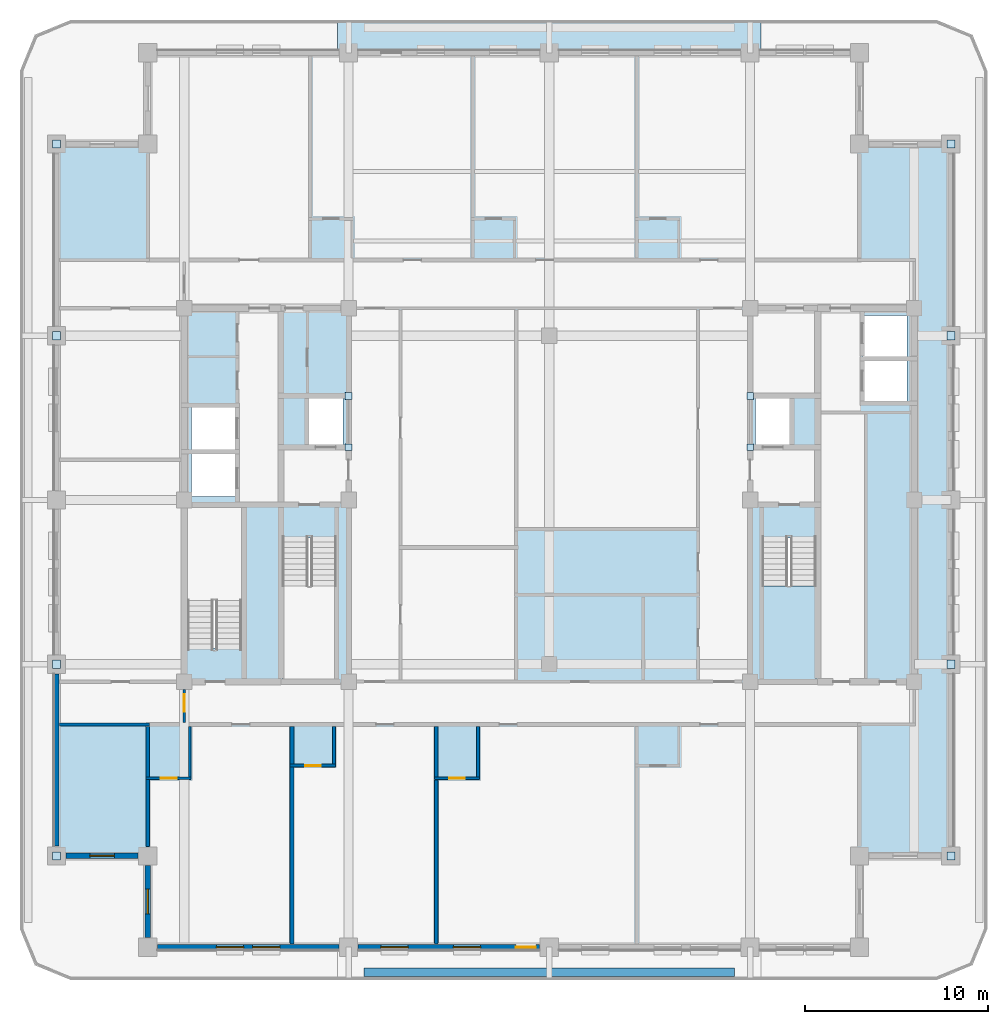
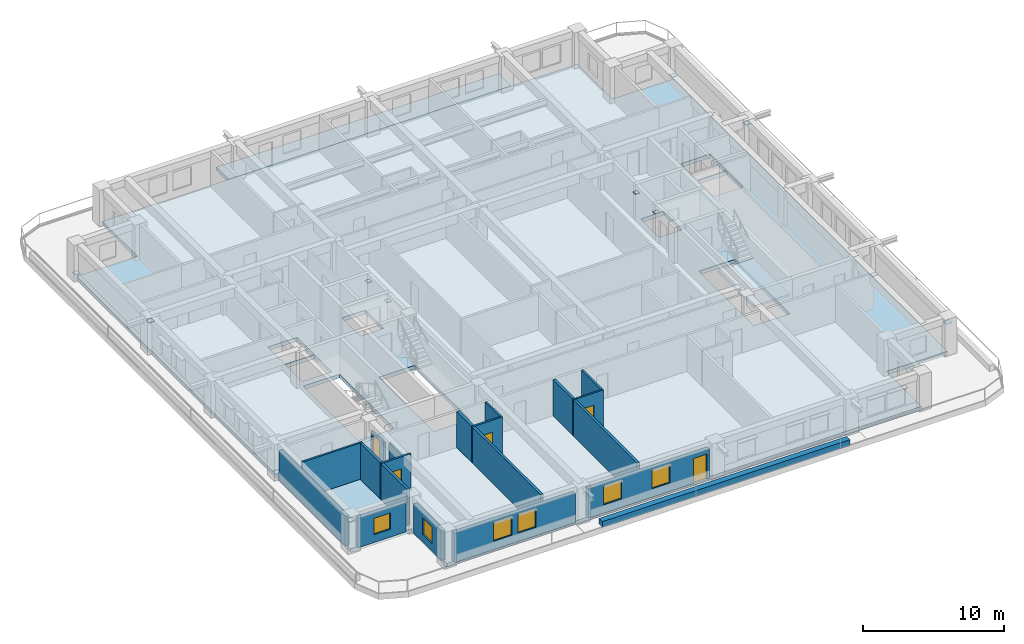
# One storey, part 2 of 14: 20 walls, 12 plates, 6 windows, 5 doors, 3 slabs, 11 openings, 1 element without a shape of its own.
"""IFC4 building model written with IfcOpenShell, lengths in metres."""

from ifc_helpers import new_model, si_unit, direction, frame, frame_2d, origin, origin_2d, place, context, subcontext, project, spatial, polyline, rectangle, outline, extrude, material, layer, layer_set, type_object, element, fill, aggregate, save


model = new_model("IFC4")

# Units and contexts
model_context = context("Model", 3, precision=1e-05, world=origin(), true_north=direction((0.0, 1.0)))
body_context = subcontext(model_context, "Body", "Model", "MODEL_VIEW")
ifc_project = project(units=[si_unit("LENGTHUNIT", "METRE"), si_unit("AREAUNIT", "SQUARE_METRE"), si_unit("VOLUMEUNIT", "CUBIC_METRE"), si_unit("PLANEANGLEUNIT", "RADIAN"), si_unit("MASSUNIT", "GRAM", prefix="KILO")], contexts=[model_context])

# Site, building, storey
site_placement = place(None, origin())
site = spatial("IfcSite", under=ifc_project, at=site_placement, CompositionType="ELEMENT")
building_placement = place(site_placement, origin())
building = spatial("IfcBuilding", under=site, at=building_placement, Name="Zulmaris Gate Convention Tower", CompositionType="ELEMENT")
storey_placement = place(building_placement, frame((0.0, 0.0, 211.85986328125)))
storey = spatial("IfcBuildingStorey", under=building, at=storey_placement, Name="L55", CompositionType="ELEMENT", Elevation=211.85986328125)

# Plates
ifc_material_1 = material(Name="Steel S460", Category="steel")
ifc_layer_1 = layer(ifc_material_1, 0.02197265625, Name="Steel S460")
ifc_layer_set_1 = layer_set([ifc_layer_1], Name="Steel S460")
plate_type_1 = type_object("IfcPlateType", Name="NP-CAP-360", PredefinedType="USERDEFINED", material=ifc_layer_set_1)
for number, where, z_axis, x_axis, name in (
    (1, (-11.0, 2.89990234375, 2.339111328125), (0.0, 0.0, 1.0), (1.0, 0.0, 0.0), "L55 Steel Node Plate LN-L55-1-CAP0"),
    (2, (-11.0, 5.699951171875, 2.339111328125), (0.0, 0.0, 1.0), (1.0, 0.0, 0.0), "L55 Steel Node Plate LN-L55-1-CAP1"),
    (3, (11.0, 2.89990234375, 2.339111328125), (0.0, 0.0, 1.0), (1.0, 0.0, 0.0), "L55 Steel Node Plate LN-L55-2-CAP0"),
    (4, (11.0, 5.699951171875, 2.339111328125), (0.0, 0.0, 1.0), (1.0, 0.0, 0.0), "L55 Steel Node Plate LN-L55-2-CAP1"),
):
    element("IfcPlate", number, at=place(storey_placement, frame(where, z_axis=z_axis, x_axis=x_axis)), inside=storey, type_object=plate_type_1, Name=name, ObjectType="FLANGE PLATE", PredefinedType="USERDEFINED", context=body_context, shape_type="SweptSolid", body=[
        extrude(rectangle(XDim=0.360107421875, YDim=0.360107421875, at=origin_2d()), origin(), (0.0, 0.0, 1.0), 0.02197265625),
    ])
ifc_layer_2 = layer(ifc_material_1, 0.02490234375, Name="Steel S460")
ifc_layer_set_2 = layer_set([ifc_layer_2], Name="Steel S460")
plate_type_2 = type_object("IfcPlateType", Name="NP-CAP-440", PredefinedType="USERDEFINED", material=ifc_layer_set_2)
for number, where, z_axis, x_axis, name in (
    (5, (-27.0, -9.0, 0.28759765625), (0.0, 0.0, 1.0), (1.0, 0.0, 0.0), "L55 Steel Node Plate PBR-L55-SW-W-CAP"),
    (6, (-27.0, -19.5, 2.517578125), (0.0, 0.0, 1.0), (1.0, 0.0, 0.0), "L55 Steel Node Plate PBR-L55-SW-W-CAPB"),
    (7, (-27.0, 19.5, 0.28759765625), (0.0, 0.0, 1.0), (1.0, 0.0, 0.0), "L55 Steel Node Plate PBR-L55-NW-W-CAP"),
    (8, (-27.0, 9.0, 2.517578125), (0.0, 0.0, 1.0), (1.0, 0.0, 0.0), "L55 Steel Node Plate PBR-L55-NW-W-CAPB"),
    (9, (22.0, -9.0, 0.28759765625), (0.0, 0.0, 1.0), (1.0, 0.0, 0.0), "L55 Steel Node Plate PBR-L55-SE-E-CAP"),
    (10, (22.0, -19.5, 2.517578125), (0.0, 0.0, 1.0), (1.0, 0.0, 0.0), "L55 Steel Node Plate PBR-L55-SE-E-CAPB"),
    (11, (22.0, 19.5, 0.28759765625), (0.0, 0.0, 1.0), (1.0, 0.0, 0.0), "L55 Steel Node Plate PBR-L55-NE-E-CAP"),
    (12, (22.0, 9.0, 2.517578125), (0.0, 0.0, 1.0), (1.0, 0.0, 0.0), "L55 Steel Node Plate PBR-L55-NE-E-CAPB"),
):
    element("IfcPlate", number, at=place(storey_placement, frame(where, z_axis=z_axis, x_axis=x_axis)), inside=storey, type_object=plate_type_2, Name=name, ObjectType="FLANGE PLATE", PredefinedType="USERDEFINED", context=body_context, shape_type="SweptSolid", body=[
        extrude(rectangle(XDim=0.43994140625, YDim=0.43994140625, at=origin_2d()), origin(), (0.0, 0.0, 1.0), 0.02490234375),
    ])

# Slab
ifc_material_2 = material(Name="Concrete C50/60", Category="concrete")
ifc_layer_3 = layer(ifc_material_2, 0.324951171875, Name="Concrete C50/60")
ifc_layer_set_3 = layer_set([ifc_layer_3], Name="Concrete C50/60")
slab_type_1 = type_object("IfcSlabType", Name="SL-FLR-325", PredefinedType="FLOOR", material=ifc_layer_set_3)
slab_1_placement = place(storey_placement, frame((0.0, 0.0, -0.324951171875)))
element("IfcSlab", 13, at=slab_1_placement, inside=storey, type_object=slab_type_1, Name="L55 Shifted Notched-Square Structural Floor Slab", PredefinedType="FLOOR", context=body_context, shape_type="SweptSolid", body=[
    extrude(outline(polyline([(-22.0, -24.5), (17.0, -24.5), (17.0, -19.5), (22.0, -19.5), (22.0, 19.5), (17.0, 19.5), (17.0, 24.5), (-22.0, 24.5), (-22.0, 19.5), (-27.0, 19.5), (-27.0, -19.5), (-22.0, -19.5), (-22.0, -24.5)]), holes=[polyline([(-14.6201171875, -2.080078125), (-14.6201171875, -9.85009765625), (-11.659912109375, -9.85009765625), (-11.659912109375, -2.080078125), (-14.6201171875, -2.080078125)]), polyline([(11.659912109375, -2.080078125), (11.659912109375, -9.85009765625), (14.6201171875, -9.85009765625), (14.6201171875, -2.080078125), (11.659912109375, -2.080078125)]), polyline([(-16.860107421875, -8.1201171875), (-16.860107421875, -0.35009765625), (-19.820068359375, -0.35009765625), (-19.820068359375, -8.1201171875), (-16.860107421875, -8.1201171875)]), polyline([(-13.199951171875, 3.0), (-11.300048828125, 3.0), (-11.300048828125, 5.60009765625), (-13.199951171875, 5.60009765625), (-13.199951171875, 3.0)]), polyline([(11.300048828125, 3.0), (13.199951171875, 3.0), (13.199951171875, 5.60009765625), (11.300048828125, 5.60009765625), (11.300048828125, 3.0)]), polyline([(17.199951171875, 5.39990234375), (19.60009765625, 5.39990234375), (19.60009765625, 7.699951171875), (17.199951171875, 7.699951171875), (17.199951171875, 5.39990234375)]), polyline([(17.199951171875, 7.800048828125), (19.60009765625, 7.800048828125), (19.60009765625, 10.10009765625), (17.199951171875, 10.10009765625), (17.199951171875, 7.800048828125)]), polyline([(-19.60009765625, 0.199951171875), (-17.199951171875, 0.199951171875), (-17.199951171875, 2.60009765625), (-19.60009765625, 2.60009765625), (-19.60009765625, 0.199951171875)]), polyline([(-19.60009765625, 2.699951171875), (-17.199951171875, 2.699951171875), (-17.199951171875, 5.10009765625), (-19.60009765625, 5.10009765625), (-19.60009765625, 2.699951171875)])]), origin(), (0.0, 0.0, 1.0), 0.324951171875),
])

# Stair, slab
ifc_material_3 = material(Name="Concrete C45/55", Category="concrete")
stair_type = type_object("IfcStairType", Name="ST-CORE-DOGLEG", PredefinedType="HALF_TURN_STAIR", material=ifc_material_3)
stair_placement = place(storey_placement, origin())
stair = element("IfcStair", 14, at=stair_placement, inside=storey, type_object=stair_type, Name="L55 Core Exit Stair ST-2", PredefinedType="HALF_TURN_STAIR")
ifc_layer_4 = layer(ifc_material_3, 0.199951171875, Name="Concrete C45/55")
ifc_layer_set_4 = layer_set([ifc_layer_4], Name="Concrete C45/55")
slab_type_2 = type_object("IfcSlabType", Name="SL-LND-200", PredefinedType="LANDING", material=ifc_layer_set_4)
slab_2_placement = place(storey_placement, frame((0.0, 0.0, 1.5)))
slab_2 = element("IfcSlab", 15, at=slab_2_placement, type_object=slab_type_2, Name="ST-2 landing 1", PredefinedType="LANDING", context=body_context, shape_type="SweptSolid", body=[
    extrude(outline(polyline([(11.659912109375, -4.699951171875), (11.659912109375, -9.85009765625), (14.6201171875, -9.85009765625), (14.6201171875, -4.699951171875), (11.659912109375, -4.699951171875)])), origin(), (0.0, 0.0, 1.0), 0.2001953125),
])
aggregate(stair, [slab_2])

# Slab
ifc_layer_5 = layer(ifc_material_2, 0.300048828125, Name="Concrete C50/60")
ifc_layer_set_5 = layer_set([ifc_layer_5], Name="Concrete C50/60")
slab_type_3 = type_object("IfcSlabType", Name="SL-SG-300", PredefinedType="FLOOR", material=ifc_layer_set_5)
slab_3_placement = place(storey_placement, frame((0.0, 0.0, -0.324951171875)))
element("IfcSlab", 16, at=slab_3_placement, inside=storey, type_object=slab_type_3, Name="L55 North Sky-Garden Planter Slab", PredefinedType="FLOOR", context=body_context, shape_type="SweptSolid", body=[
    extrude(outline(polyline([(11.597900390625, 26.300048828125), (11.597900390625, 24.5), (-11.597900390625, 24.5), (-11.597900390625, 26.300048828125), (11.597900390625, 26.300048828125)])), origin(), (0.0, 0.0, 1.0), 0.300048828125),
])

# Wall, opening, door
ifc_material_4 = material(Name="Gypsum Metal Stud Partition")
ifc_layer_6 = layer(ifc_material_4, 0.14990234375, Name="Gypsum Metal Stud Partition")
ifc_layer_set_6 = layer_set([ifc_layer_6], Name="Gypsum Metal Stud Partition")
wall_type_1 = type_object("IfcWallType", Name="PART-150", PredefinedType="PARTITIONING", material=ifc_layer_set_6)
wall_1_placement = place(storey_placement, frame((-22.10009765625, -15.25, 0.0), z_axis=(0.0, 0.0, 1.0), x_axis=(1.0, 0.0, 0.0)))
wall_1 = element("IfcWall", 17, at=wall_1_placement, inside=storey, type_object=wall_type_1, Name="WL-L55-019", PredefinedType="PARTITIONING", context=body_context, shape_type="SweptSolid", body=[
    extrude(rectangle(XDim=2.47509765625, YDim=0.14990234375, at=frame_2d((1.237548828125, 0.0))), origin(), (0.0, 0.0, 1.0), 3.150146484375),
])
opening_1_placement = place(wall_1_placement, frame((0.824951171875, 0.0, 0.0)))
opening_1 = element("IfcOpeningElement", 18, at=opening_1_placement, cuts=wall_1, Name="Opening D-17", PredefinedType="OPENING", context=body_context, shape_type="SweptSolid", body=[
    extrude(rectangle(XDim=0.85009765625, YDim=2.10009765625, at=frame_2d((0.425048828125, 1.050048828125))), frame((0.0, 0.0849609375, 0.0), z_axis=(0.0, -1.0, 0.0), x_axis=(1.0, 0.0, 0.0)), (0.0, 0.0, 1.0), 0.169921875),
])
ifc_material_5 = material(Name="Moisture-Resistant Hardwood Timber", Category="wood")
door_type_1 = type_object("IfcDoorType", Name="DR-850", OperationType="NOTDEFINED", PredefinedType="DOOR", material=ifc_material_5)
door_1_placement = place(opening_1_placement, origin())
door_1 = element("IfcDoor", 19, at=door_1_placement, inside=storey, type_object=door_type_1, Name="L55 En-Suite Door 33", OperationType="SINGLE_SWING_LEFT", OverallHeight=2.10009765625, OverallWidth=0.85009765625, PredefinedType="DOOR", context=body_context, shape_type="SweptSolid", body=[
    extrude(rectangle(XDim=0.85009765625, YDim=2.10009765625, at=frame_2d((0.425048828125, 1.050048828125))), frame((0.0, 0.02490234375, 0.0), z_axis=(0.0, -1.0, 0.0), x_axis=(1.0, 0.0, 0.0)), (0.0, 0.0, 1.0), 0.050048828125),
])
fill(opening_1, door_1)

wall_2_placement = place(storey_placement, frame((-6.300048828125, -15.25, 0.0), z_axis=(0.0, 0.0, 1.0), x_axis=(1.0, 0.0, 0.0)))
wall_2 = element("IfcWall", 20, at=wall_2_placement, inside=storey, type_object=wall_type_1, Name="WL-L55-020", PredefinedType="PARTITIONING", context=body_context, shape_type="SweptSolid", body=[
    extrude(rectangle(XDim=2.47509765625, YDim=0.14990234375, at=frame_2d((1.237548828125, 0.0))), origin(), (0.0, 0.0, 1.0), 3.150146484375),
])
opening_2_placement = place(wall_2_placement, frame((0.824951171875, 0.0, 0.0)))
opening_2 = element("IfcOpeningElement", 21, at=opening_2_placement, cuts=wall_2, Name="Opening D-17", PredefinedType="OPENING", context=body_context, shape_type="SweptSolid", body=[
    extrude(rectangle(XDim=0.85009765625, YDim=2.10009765625, at=frame_2d((0.425048828125, 1.050048828125))), frame((0.0, 0.0849609375, 0.0), z_axis=(0.0, -1.0, 0.0), x_axis=(1.0, 0.0, 0.0)), (0.0, 0.0, 1.0), 0.169921875),
])
door_2_placement = place(opening_2_placement, origin())
door_2 = element("IfcDoor", 22, at=door_2_placement, inside=storey, type_object=door_type_1, Name="L55 En-Suite Door 37", OperationType="SINGLE_SWING_LEFT", OverallHeight=2.10009765625, OverallWidth=0.85009765625, PredefinedType="DOOR", context=body_context, shape_type="SweptSolid", body=[
    extrude(rectangle(XDim=0.85009765625, YDim=2.10009765625, at=frame_2d((0.425048828125, 1.050048828125))), frame((0.0, 0.02490234375, 0.0), z_axis=(0.0, -1.0, 0.0), x_axis=(1.0, 0.0, 0.0)), (0.0, 0.0, 1.0), 0.050048828125),
])
fill(opening_2, door_2)

wall_3_placement = place(storey_placement, frame((-14.199951171875, -14.550048828125, 0.0), z_axis=(0.0, 0.0, 1.0), x_axis=(1.0, 0.0, 0.0)))
wall_3 = element("IfcWall", 23, at=wall_3_placement, inside=storey, type_object=wall_type_1, Name="WL-L55-021", PredefinedType="PARTITIONING", context=body_context, shape_type="SweptSolid", body=[
    extrude(rectangle(XDim=2.474853515625, YDim=0.14990234375, at=frame_2d((1.2373046875, 0.0))), origin(), (0.0, 0.0, 1.0), 3.150146484375),
])
opening_3_placement = place(wall_3_placement, frame((0.824951171875, 0.0, 0.0)))
opening_3 = element("IfcOpeningElement", 24, at=opening_3_placement, cuts=wall_3, Name="Opening D-17", PredefinedType="OPENING", context=body_context, shape_type="SweptSolid", body=[
    extrude(rectangle(XDim=0.85009765625, YDim=2.10009765625, at=frame_2d((0.425048828125, 1.050048828125))), frame((0.0, 0.0849609375, 0.0), z_axis=(0.0, -1.0, 0.0), x_axis=(1.0, 0.0, 0.0)), (0.0, 0.0, 1.0), 0.169921875),
])
door_3_placement = place(opening_3_placement, origin())
door_3 = element("IfcDoor", 25, at=door_3_placement, inside=storey, type_object=door_type_1, Name="L55 En-Suite Door 35", OperationType="SINGLE_SWING_LEFT", OverallHeight=2.10009765625, OverallWidth=0.85009765625, PredefinedType="DOOR", context=body_context, shape_type="SweptSolid", body=[
    extrude(rectangle(XDim=0.85009765625, YDim=2.10009765625, at=frame_2d((0.425048828125, 1.050048828125))), frame((0.0, 0.02490234375, 0.0), z_axis=(0.0, -1.0, 0.0), x_axis=(1.0, 0.0, 0.0)), (0.0, 0.0, 1.0), 0.050048828125),
])
fill(opening_3, door_3)

# Wall
wall_4_placement = place(storey_placement, frame((-26.8349609375, -12.300048828125, 0.0), z_axis=(0.0, 0.0, 1.0), x_axis=(1.0, 0.0, 0.0)))
element("IfcWall", 26, at=wall_4_placement, inside=storey, type_object=wall_type_1, Name="WL-L55-023", PredefinedType="PARTITIONING", context=body_context, shape_type="SweptSolid", body=[
    extrude(rectangle(XDim=4.93505859375, YDim=0.14990234375, at=frame_2d((2.467529296875, 0.0))), origin(), (0.0, 0.0, 1.0), 3.150146484375),
])

# Wall, opening, door
wall_5_placement = place(storey_placement, frame((-20.0, -12.197021484375, 0.0), z_axis=(0.0, 0.0, 1.0), x_axis=(0.0, 1.0, 0.0)))
wall_5 = element("IfcWall", 27, at=wall_5_placement, inside=storey, type_object=wall_type_1, Name="WL-L55-077", PredefinedType="PARTITIONING", context=body_context, shape_type="SweptSolid", body=[
    extrude(rectangle(XDim=1.81591796875, YDim=0.14990234375, at=frame_2d((0.907958984375, 0.0))), origin(), (0.0, 0.0, 1.0), 2.342041015625),
])
opening_4_placement = place(wall_5_placement, frame((0.60205078125, 0.0, 0.0)))
opening_4 = element("IfcOpeningElement", 28, at=opening_4_placement, cuts=wall_5, Name="Opening D-11", PredefinedType="OPENING", context=body_context, shape_type="SweptSolid", body=[
    extrude(rectangle(XDim=0.949951171875, YDim=2.14990234375, at=frame_2d((0.47509765625, 1.074951171875))), frame((0.0, 0.0849609375, 0.0), z_axis=(0.0, -1.0, 0.0), x_axis=(1.0, 0.0, 0.0)), (0.0, 0.0, 1.0), 0.169921875),
])
ifc_material_6 = material(Name="Fire-Rated Timber", Category="wood")
door_type_2 = type_object("IfcDoorType", Name="DR-950-FD", OperationType="NOTDEFINED", PredefinedType="DOOR", material=ifc_material_6)
door_4_placement = place(opening_4_placement, origin())
door_4 = element("IfcDoor", 29, at=door_4_placement, inside=storey, type_object=door_type_2, Name="L55 SW Hotel Spur Door 47", OperationType="SINGLE_SWING_LEFT", OverallHeight=2.14990234375, OverallWidth=0.949951171875, PredefinedType="DOOR", context=body_context, shape_type="SweptSolid", body=[
    extrude(rectangle(XDim=0.949951171875, YDim=2.14990234375, at=frame_2d((0.47509765625, 1.074951171875))), frame((0.0, 0.02490234375, 0.0), z_axis=(0.0, -1.0, 0.0), x_axis=(1.0, 0.0, 0.0)), (0.0, 0.0, 1.0), 0.050048828125),
])
fill(opening_4, door_4)

# Walls
wall_6_placement = place(storey_placement, frame((-19.699951171875, -15.172119140625, 0.0), z_axis=(0.0, 0.0, 1.0), x_axis=(0.0, 1.0, 0.0)))
element("IfcWall", 30, at=wall_6_placement, inside=storey, type_object=wall_type_1, Name="WL-L55-079", PredefinedType="PARTITIONING", context=body_context, shape_type="SweptSolid", body=[
    extrude(rectangle(XDim=2.76904296875, YDim=0.14990234375, at=frame_2d((1.384521484375, 0.0))), origin(), (0.0, 0.0, 1.0), 2.342041015625),
])
wall_7_placement = place(storey_placement, frame((-11.800048828125, -14.471923828125, 0.0), z_axis=(0.0, 0.0, 1.0), x_axis=(0.0, 1.0, 0.0)))
element("IfcWall", 31, at=wall_7_placement, inside=storey, type_object=wall_type_1, Name="WL-L55-087", PredefinedType="PARTITIONING", context=body_context, shape_type="SweptSolid", body=[
    extrude(rectangle(XDim=2.06884765625, YDim=0.14990234375, at=frame_2d((1.034423828125, 0.0))), origin(), (0.0, 0.0, 1.0), 3.150146484375),
])
wall_8_placement = place(storey_placement, frame((-3.89990234375, -15.172119140625, 0.0), z_axis=(0.0, 0.0, 1.0), x_axis=(0.0, 1.0, 0.0)))
element("IfcWall", 32, at=wall_8_placement, inside=storey, type_object=wall_type_1, Name="WL-L55-095", PredefinedType="PARTITIONING", context=body_context, shape_type="SweptSolid", body=[
    extrude(rectangle(XDim=2.76904296875, YDim=0.14990234375, at=frame_2d((1.384521484375, 0.0))), origin(), (0.0, 0.0, 1.0), 3.150146484375),
])
ifc_material_7 = material(Name="Autoclaved Aerated Concrete Block and Plasterboard", Category="concrete")
ifc_layer_7 = layer(ifc_material_7, 0.199951171875, Name="Autoclaved Aerated Concrete Block and Plasterboard")
ifc_layer_set_7 = layer_set([ifc_layer_7], Name="Autoclaved Aerated Concrete Block and Plasterboard")
wall_type_2 = type_object("IfcWallType", Name="PART-200", PredefinedType="PARTITIONING", material=ifc_layer_set_7)
wall_9_placement = place(storey_placement, frame((-22.0, -18.993896484375, 0.0), z_axis=(0.0, 0.0, 1.0), x_axis=(0.0, 1.0, 0.0)))
element("IfcWall", 33, at=wall_9_placement, inside=storey, type_object=wall_type_2, Name="WL-L55-074", PredefinedType="PARTITIONING", context=body_context, shape_type="SweptSolid", body=[
    extrude(rectangle(XDim=3.666015625, YDim=0.199951171875, at=frame_2d((1.8330078125, 0.0))), origin(), (0.0, 0.0, 1.0), 3.150146484375),
])
wall_10_placement = place(storey_placement, frame((-22.0, -15.172119140625, 0.0), z_axis=(0.0, 0.0, 1.0), x_axis=(0.0, 1.0, 0.0)))
element("IfcWall", 34, at=wall_10_placement, inside=storey, type_object=wall_type_2, Name="WL-L55-075", PredefinedType="PARTITIONING", context=body_context, shape_type="SweptSolid", body=[
    extrude(rectangle(XDim=2.76904296875, YDim=0.199951171875, at=frame_2d((1.384521484375, 0.0))), origin(), (0.0, 0.0, 1.0), 3.150146484375),
])
wall_11_placement = place(storey_placement, frame((-14.10009765625, -24.3349609375, 0.0), z_axis=(0.0, 0.0, 1.0), x_axis=(0.0, 1.0, 0.0)))
element("IfcWall", 35, at=wall_11_placement, inside=storey, type_object=wall_type_2, Name="WL-L55-082", PredefinedType="PARTITIONING", context=body_context, shape_type="SweptSolid", body=[
    extrude(rectangle(XDim=9.70703125, YDim=0.199951171875, at=frame_2d((4.853515625, 0.0))), origin(), (0.0, 0.0, 1.0), 3.150146484375),
])
wall_12_placement = place(storey_placement, frame((-14.10009765625, -14.471923828125, 0.0), z_axis=(0.0, 0.0, 1.0), x_axis=(0.0, 1.0, 0.0)))
element("IfcWall", 36, at=wall_12_placement, inside=storey, type_object=wall_type_2, Name="WL-L55-083", PredefinedType="PARTITIONING", context=body_context, shape_type="SweptSolid", body=[
    extrude(rectangle(XDim=2.06884765625, YDim=0.199951171875, at=frame_2d((1.034423828125, 0.0))), origin(), (0.0, 0.0, 1.0), 3.150146484375),
])
wall_13_placement = place(storey_placement, frame((-6.199951171875, -24.3349609375, 0.0), z_axis=(0.0, 0.0, 1.0), x_axis=(0.0, 1.0, 0.0)))
element("IfcWall", 37, at=wall_13_placement, inside=storey, type_object=wall_type_2, Name="WL-L55-091", PredefinedType="PARTITIONING", context=body_context, shape_type="SweptSolid", body=[
    extrude(rectangle(XDim=9.007080078125, YDim=0.199951171875, at=frame_2d((4.50341796875, 0.0))), origin(), (0.0, 0.0, 1.0), 3.150146484375),
])
wall_14_placement = place(storey_placement, frame((-6.199951171875, -15.172119140625, 0.0), z_axis=(0.0, 0.0, 1.0), x_axis=(0.0, 1.0, 0.0)))
element("IfcWall", 38, at=wall_14_placement, inside=storey, type_object=wall_type_2, Name="WL-L55-092", PredefinedType="PARTITIONING", context=body_context, shape_type="SweptSolid", body=[
    extrude(rectangle(XDim=2.76904296875, YDim=0.199951171875, at=frame_2d((1.384521484375, 0.0))), origin(), (0.0, 0.0, 1.0), 3.150146484375),
])
ifc_material_8 = material(Name="Botanical Green Glazed Precast Concrete C40/50", Category="concrete")
ifc_layer_8 = layer(ifc_material_8, 0.419921875, Name="Botanical Green Glazed Precast Concrete C40/50")
ifc_layer_set_8 = layer_set([ifc_layer_8], Name="Botanical Green Glazed Precast Concrete C40/50")
wall_type_3 = type_object("IfcWallType", Name="PLANTER-CURB-200", PredefinedType="PARAPET", material=ifc_layer_set_8)
wall_15_placement = place(storey_placement, frame((-10.14990234375, -25.8798828125, -0.0400390625), z_axis=(0.0, 0.0, 1.0), x_axis=(1.0, 0.0, 0.0)))
element("IfcWall", 39, at=wall_15_placement, inside=storey, type_object=wall_type_3, Name="L55 Full-Length Balcony Tree Planter Trough", PredefinedType="PARAPET", context=body_context, shape_type="SweptSolid", body=[
    extrude(rectangle(XDim=20.2998046875, YDim=0.47998046875, at=frame_2d((10.14990234375, 0.0))), origin(), (0.0, 0.0, 1.0), 0.52001953125),
])

# Wall, opening, window
ifc_material_9 = material(Name="Precast concrete C40/50", Category="concrete")
ifc_layer_9 = layer(ifc_material_9, 0.300048828125, Name="Precast concrete C40/50")
ifc_layer_set_9 = layer_set([ifc_layer_9], Name="Precast concrete C40/50")
wall_type_4 = type_object("IfcWallType", Name="PRECAST-PIER-300", PredefinedType="STANDARD", material=ifc_layer_set_9)
wall_16_placement = place(storey_placement, frame((-26.469970703125, -19.5, 0.0), z_axis=(0.0, 0.0, 1.0), x_axis=(1.0, 0.0, 0.0)))
wall_16 = element("IfcWall", 40, at=wall_16_placement, inside=storey, type_object=wall_type_4, Name="EW-L55-NOTCH-SW1_0", PredefinedType="STANDARD", context=body_context, shape_type="SweptSolid", body=[
    extrude(rectangle(XDim=3.93994140625, YDim=0.300048828125, at=frame_2d((1.969970703125, 0.0))), origin(), (0.0, 0.0, 1.0), 2.542236328125),
])
opening_5_placement = place(wall_16_placement, frame((1.294921875, 0.0, 0.679931640625)))
opening_5 = element("IfcOpeningElement", 41, at=opening_5_placement, cuts=wall_16, Name="Opening W-10", PredefinedType="OPENING", context=body_context, shape_type="SweptSolid", body=[
    extrude(rectangle(XDim=1.35009765625, YDim=1.419921875, at=frame_2d((0.675048828125, 0.7099609375))), frame((0.0, 0.16015625, 0.0), z_axis=(0.0, -1.0, 0.0), x_axis=(1.0, 0.0, 0.0)), (0.0, 0.0, 1.0), 0.320068359375),
])
ifc_material_10 = material(Name="Low-E Laminated Double Glazing in Aluminium Frame", Category="aluminium")
window_type_1 = type_object("IfcWindowType", Name="WIN-1350x2000", PartitioningType="SINGLE_PANEL", PredefinedType="WINDOW", material=ifc_material_10)
window_1_placement = place(opening_5_placement, origin())
window_1 = element("IfcWindow", 42, at=window_1_placement, inside=storey, type_object=window_type_1, Name="WN-EW-L55-NOTCH-SW1_0", OverallHeight=1.419921875, OverallWidth=1.35009765625, PartitioningType="SINGLE_PANEL", PredefinedType="WINDOW", context=body_context, shape_type="SweptSolid", body=[
    extrude(rectangle(XDim=1.35009765625, YDim=1.419921875, at=frame_2d((0.675048828125, 0.7099609375))), frame((0.0, 0.030029296875, 0.0), z_axis=(0.0, -1.0, 0.0), x_axis=(1.0, 0.0, 0.0)), (0.0, 0.0, 1.0), 0.06005859375),
])
fill(opening_5, window_1)

wall_17_placement = place(storey_placement, frame((-22.0, -20.030029296875, 0.0), z_axis=(0.0, 0.0, 1.0), x_axis=(0.0, -1.0, 0.0)))
wall_17 = element("IfcWall", 43, at=wall_17_placement, inside=storey, type_object=wall_type_4, Name="EW-L55-NOTCH-SW2_0", PredefinedType="STANDARD", context=body_context, shape_type="SweptSolid", body=[
    extrude(rectangle(XDim=3.93994140625, YDim=0.300048828125, at=frame_2d((1.969970703125, 0.0))), origin(), (0.0, 0.0, 1.0), 2.542236328125),
])
opening_6_placement = place(wall_17_placement, frame((1.294921875, 0.0, 0.679931640625)))
opening_6 = element("IfcOpeningElement", 44, at=opening_6_placement, cuts=wall_17, Name="Opening W-10", PredefinedType="OPENING", context=body_context, shape_type="SweptSolid", body=[
    extrude(rectangle(XDim=1.35009765625, YDim=1.419921875, at=frame_2d((0.675048828125, 0.7099609375))), frame((0.0, 0.16015625, 0.0), z_axis=(0.0, -1.0, 0.0), x_axis=(1.0, 0.0, 0.0)), (0.0, 0.0, 1.0), 0.320068359375),
])
window_2_placement = place(opening_6_placement, origin())
window_2 = element("IfcWindow", 45, at=window_2_placement, inside=storey, type_object=window_type_1, Name="WN-EW-L55-NOTCH-SW2_0", OverallHeight=1.419921875, OverallWidth=1.35009765625, PartitioningType="SINGLE_PANEL", PredefinedType="WINDOW", context=body_context, shape_type="SweptSolid", body=[
    extrude(rectangle(XDim=1.35009765625, YDim=1.419921875, at=frame_2d((0.675048828125, 0.7099609375))), frame((0.0, 0.030029296875, 0.0), z_axis=(0.0, -1.0, 0.0), x_axis=(1.0, 0.0, 0.0)), (0.0, 0.0, 1.0), 0.06005859375),
])
fill(opening_6, window_2)

# Wall, openings, windows
wall_18_placement = place(storey_placement, frame((-21.469970703125, -24.5, 0.0), z_axis=(0.0, 0.0, 1.0), x_axis=(1.0, 0.0, 0.0)))
wall_18 = element("IfcWall", 46, at=wall_18_placement, inside=storey, type_object=wall_type_4, Name="EW-L55-S-0_0", PredefinedType="STANDARD", context=body_context, shape_type="SweptSolid", body=[
    extrude(rectangle(XDim=9.93994140625, YDim=0.300048828125, at=frame_2d((4.969970703125, 0.0))), origin(), (0.0, 0.0, 1.0), 2.542236328125),
])
opening_7_placement = place(wall_18_placement, frame((3.22607421875, 0.0, 0.719970703125)))
opening_7 = element("IfcOpeningElement", 47, at=opening_7_placement, cuts=wall_18, Name="Opening W-03", PredefinedType="OPENING", context=body_context, shape_type="SweptSolid", body=[
    extrude(rectangle(XDim=1.5, YDim=1.60009765625, at=frame_2d((0.75, 0.800048828125))), frame((0.0, 0.16015625, 0.0), z_axis=(0.0, -1.0, 0.0), x_axis=(1.0, 0.0, 0.0)), (0.0, 0.0, 1.0), 0.320068359375),
])
opening_8_placement = place(wall_18_placement, frame((5.214111328125, 0.0, 0.719970703125)))
opening_8 = element("IfcOpeningElement", 48, at=opening_8_placement, cuts=wall_18, Name="Opening W-03", PredefinedType="OPENING", context=body_context, shape_type="SweptSolid", body=[
    extrude(rectangle(XDim=1.5, YDim=1.60009765625, at=frame_2d((0.75, 0.800048828125))), frame((0.0, 0.16015625, 0.0), z_axis=(0.0, -1.0, 0.0), x_axis=(1.0, 0.0, 0.0)), (0.0, 0.0, 1.0), 0.320068359375),
])
window_type_2 = type_object("IfcWindowType", Name="WIN-1500x2100", PartitioningType="SINGLE_PANEL", PredefinedType="WINDOW", material=ifc_material_10)
window_3_placement = place(opening_7_placement, origin())
window_3 = element("IfcWindow", 49, at=window_3_placement, inside=storey, type_object=window_type_2, Name="WN-EW-L55-S-0_0-2", OverallHeight=1.60009765625, OverallWidth=1.5, PartitioningType="SINGLE_PANEL", PredefinedType="WINDOW", context=body_context, shape_type="SweptSolid", body=[
    extrude(rectangle(XDim=1.5, YDim=1.60009765625, at=frame_2d((0.75, 0.800048828125))), frame((0.0, 0.030029296875, 0.0), z_axis=(0.0, -1.0, 0.0), x_axis=(1.0, 0.0, 0.0)), (0.0, 0.0, 1.0), 0.06005859375),
])
fill(opening_7, window_3)
window_4_placement = place(opening_8_placement, origin())
window_4 = element("IfcWindow", 50, at=window_4_placement, inside=storey, type_object=window_type_2, Name="WN-EW-L55-S-0_0-3", OverallHeight=1.60009765625, OverallWidth=1.5, PartitioningType="SINGLE_PANEL", PredefinedType="WINDOW", context=body_context, shape_type="SweptSolid", body=[
    extrude(rectangle(XDim=1.5, YDim=1.60009765625, at=frame_2d((0.75, 0.800048828125))), frame((0.0, 0.030029296875, 0.0), z_axis=(0.0, -1.0, 0.0), x_axis=(1.0, 0.0, 0.0)), (0.0, 0.0, 1.0), 0.06005859375),
])
fill(opening_8, window_4)

# Wall, openings, door, windows
wall_19_placement = place(storey_placement, frame((-10.469970703125, -24.5, 0.0), z_axis=(0.0, 0.0, 1.0), x_axis=(1.0, 0.0, 0.0)))
wall_19 = element("IfcWall", 51, at=wall_19_placement, inside=storey, type_object=wall_type_4, Name="EW-L55-S-1_0", PredefinedType="STANDARD", context=body_context, shape_type="SweptSolid", body=[
    extrude(rectangle(XDim=9.93994140625, YDim=0.300048828125, at=frame_2d((4.969970703125, 0.0))), origin(), (0.0, 0.0, 1.0), 2.542236328125),
])
opening_9_placement = place(wall_19_placement, frame((8.639892578125, 0.0, 0.0)))
opening_9 = element("IfcOpeningElement", 52, at=opening_9_placement, cuts=wall_19, Name="Opening D-04", PredefinedType="OPENING", context=body_context, shape_type="SweptSolid", body=[
    extrude(rectangle(XDim=1.10009765625, YDim=2.14990234375, at=frame_2d((0.550048828125, 1.074951171875))), frame((0.0, 0.16015625, 0.0), z_axis=(0.0, -1.0, 0.0), x_axis=(1.0, 0.0, 0.0)), (0.0, 0.0, 1.0), 0.320068359375),
])
opening_10_placement = place(wall_19_placement, frame((1.238037109375, 0.0, 0.719970703125)))
opening_10 = element("IfcOpeningElement", 53, at=opening_10_placement, cuts=wall_19, Name="Opening W-03", PredefinedType="OPENING", context=body_context, shape_type="SweptSolid", body=[
    extrude(rectangle(XDim=1.5, YDim=1.60009765625, at=frame_2d((0.75, 0.800048828125))), frame((0.0, 0.16015625, 0.0), z_axis=(0.0, -1.0, 0.0), x_axis=(1.0, 0.0, 0.0)), (0.0, 0.0, 1.0), 0.320068359375),
])
opening_11_placement = place(wall_19_placement, frame((5.214111328125, 0.0, 0.719970703125)))
opening_11 = element("IfcOpeningElement", 54, at=opening_11_placement, cuts=wall_19, Name="Opening W-03", PredefinedType="OPENING", context=body_context, shape_type="SweptSolid", body=[
    extrude(rectangle(XDim=1.5, YDim=1.60009765625, at=frame_2d((0.75, 0.800048828125))), frame((0.0, 0.16015625, 0.0), z_axis=(0.0, -1.0, 0.0), x_axis=(1.0, 0.0, 0.0)), (0.0, 0.0, 1.0), 0.320068359375),
])
ifc_material_11 = material(Name="Anodised Aluminium and Laminated Glass", Category="aluminium")
door_type_3 = type_object("IfcDoorType", Name="ED-1100", OperationType="SINGLE_SWING_RIGHT", PredefinedType="DOOR", material=ifc_material_11)
door_5_placement = place(opening_9_placement, origin())
door_5 = element("IfcDoor", 55, at=door_5_placement, inside=storey, type_object=door_type_3, Name="L55 S Planted Terrace Door", OperationType="SINGLE_SWING_RIGHT", OverallHeight=2.14990234375, OverallWidth=1.10009765625, PredefinedType="DOOR", context=body_context, shape_type="SweptSolid", body=[
    extrude(rectangle(XDim=1.10009765625, YDim=2.14990234375, at=frame_2d((0.550048828125, 1.074951171875))), frame((0.0, 0.02490234375, 0.0), z_axis=(0.0, -1.0, 0.0), x_axis=(1.0, 0.0, 0.0)), (0.0, 0.0, 1.0), 0.050048828125),
])
fill(opening_9, door_5)
window_5_placement = place(opening_10_placement, origin())
window_5 = element("IfcWindow", 56, at=window_5_placement, inside=storey, type_object=window_type_2, Name="WN-EW-L55-S-1_0-1", OverallHeight=1.60009765625, OverallWidth=1.5, PartitioningType="SINGLE_PANEL", PredefinedType="WINDOW", context=body_context, shape_type="SweptSolid", body=[
    extrude(rectangle(XDim=1.5, YDim=1.60009765625, at=frame_2d((0.75, 0.800048828125))), frame((0.0, 0.030029296875, 0.0), z_axis=(0.0, -1.0, 0.0), x_axis=(1.0, 0.0, 0.0)), (0.0, 0.0, 1.0), 0.06005859375),
])
fill(opening_10, window_5)
window_6_placement = place(opening_11_placement, origin())
window_6 = element("IfcWindow", 57, at=window_6_placement, inside=storey, type_object=window_type_2, Name="WN-EW-L55-S-1_0-3", OverallHeight=1.60009765625, OverallWidth=1.5, PartitioningType="SINGLE_PANEL", PredefinedType="WINDOW", context=body_context, shape_type="SweptSolid", body=[
    extrude(rectangle(XDim=1.5, YDim=1.60009765625, at=frame_2d((0.75, 0.800048828125))), frame((0.0, 0.030029296875, 0.0), z_axis=(0.0, -1.0, 0.0), x_axis=(1.0, 0.0, 0.0)), (0.0, 0.0, 1.0), 0.06005859375),
])
fill(opening_11, window_6)

# Wall
wall_20_placement = place(storey_placement, frame((-27.0, -9.530029296875, 0.0), z_axis=(0.0, 0.0, 1.0), x_axis=(0.0, -1.0, 0.0)))
element("IfcWall", 58, at=wall_20_placement, inside=storey, type_object=wall_type_4, Name="EW-L55-W-0_0", PredefinedType="STANDARD", context=body_context, shape_type="SweptSolid", body=[
    extrude(rectangle(XDim=9.43994140625, YDim=0.300048828125, at=frame_2d((4.719970703125, 0.0))), origin(), (0.0, 0.0, 1.0), 2.542236328125),
])

save(model, "model.ifc")
